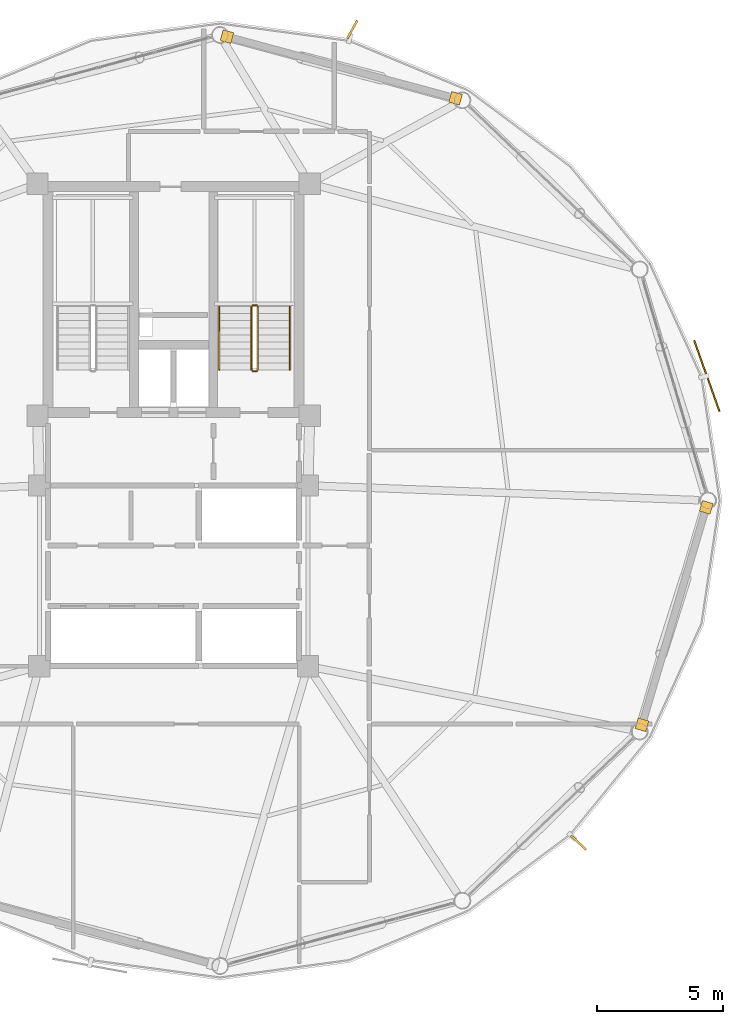
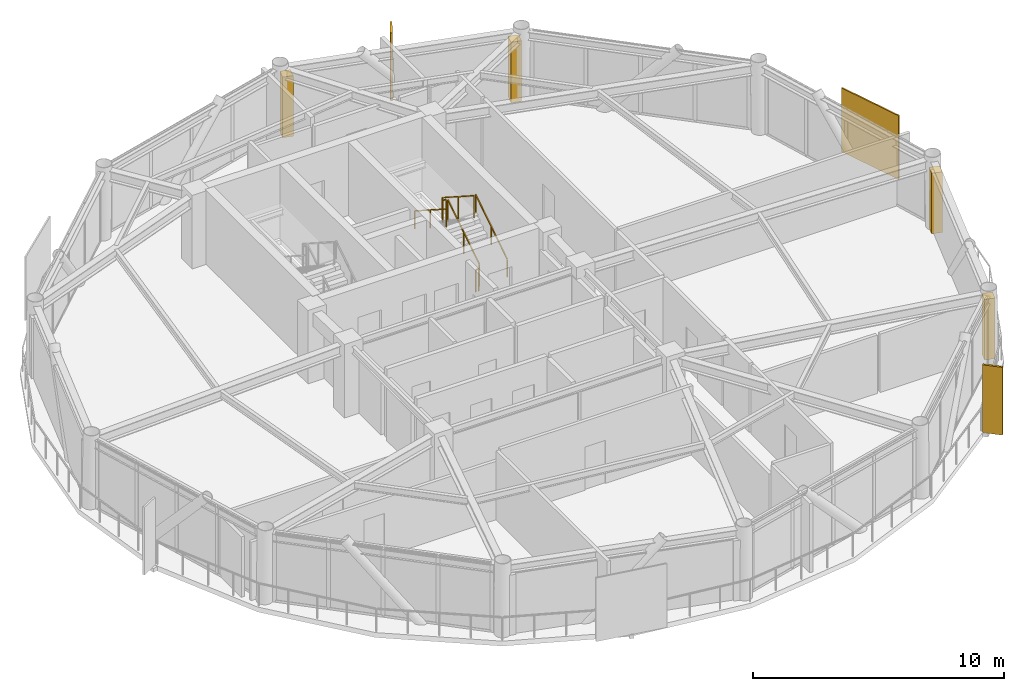
# One storey, part 28 of 28: 6 railings, 4 coverings, 3 shading devices.
"""IFC4 building model written with IfcOpenShell, lengths in metres."""

from ifc_helpers import new_model, si_unit, direction, frame, origin, origin_2d, place, context, subcontext, project, spatial, rectangle, extrude, source, transform, mapped, material, layer, layer_set, type_object, type_shapes, element, save


model = new_model("IFC4")

# Units and contexts
model_context = context("Model", 3, precision=1e-05, world=origin(), true_north=direction((0.0, 1.0)))
body_context = subcontext(model_context, "Body", "Model", "MODEL_VIEW")
ifc_project = project(units=[si_unit("LENGTHUNIT", "METRE"), si_unit("AREAUNIT", "SQUARE_METRE"), si_unit("VOLUMEUNIT", "CUBIC_METRE"), si_unit("PLANEANGLEUNIT", "RADIAN"), si_unit("MASSUNIT", "GRAM", prefix="KILO")], contexts=[model_context])

# Site, building, storey
site_placement = place(None, origin())
site = spatial("IfcSite", under=ifc_project, at=site_placement, CompositionType="ELEMENT")
building_placement = place(site_placement, origin())
building = spatial("IfcBuilding", under=site, at=building_placement, Name="Varnakorn Sky Granary", CompositionType="ELEMENT")
storey_placement = place(building_placement, frame((0.0, 0.0, 196.800048828125)))
storey = spatial("IfcBuildingStorey", under=building, at=storey_placement, Name="L49", CompositionType="ELEMENT", Elevation=196.800048828125)

# Railings
ifc_material_1 = material(Name="Brushed Stainless Steel 316", Category="steel")
railing_type_1 = type_object("IfcRailingType", Name="RL-STAIR-1100", PredefinedType="GUARDRAIL", material=ifc_material_1)
railing_1_placement = place(storey_placement, frame((6.35009765625, 5.199951171875, 0.179931640625)))
element("IfcRailing", 1, at=railing_1_placement, inside=storey, type_object=railing_type_1, Name="L49 ST-2 stair guard 1", PredefinedType="GUARDRAIL", context=body_context, shape_type="SweptSolid", body=[
    extrude(rectangle(XDim=0.048095703125, YDim=0.048095703125, at=origin_2d()), frame((0.0, 0.0, 1.076171875), z_axis=(0.0, 0.841162588446, 0.540782303519), x_axis=(-1.0, 0.0, 0.0)), (0.0, 0.0, 1.0), 2.995849609375),
    extrude(rectangle(XDim=0.0419921875, YDim=0.0419921875, at=origin_2d()), origin(), (0.0, 0.0, 1.0), 1.048095703125),
    extrude(rectangle(XDim=0.0419921875, YDim=0.0419921875, at=origin_2d()), frame((0.0, 1.260009765625, 0.81005859375)), (0.0, 0.0, 1.0), 1.048095703125),
    extrude(rectangle(XDim=0.0419921875, YDim=0.0419921875, at=origin_2d()), frame((0.0, 2.52001953125, 1.6201171875)), (0.0, 0.0, 1.0), 1.048095703125),
])
railing_2_placement = place(storey_placement, frame((6.300048828125, 7.77001953125, 1.800048828125)))
element("IfcRailing", 2, at=railing_2_placement, inside=storey, type_object=railing_type_1, Name="L49 ST-2 stair guard 2", PredefinedType="GUARDRAIL", context=body_context, shape_type="SweptSolid", body=[
    extrude(rectangle(XDim=0.048095703125, YDim=0.048095703125, at=origin_2d()), frame((0.0, 0.0, 1.076171875), z_axis=(-1.0, 0.0, 0.0), x_axis=(0.0, -1.0, 0.0)), (0.0, 0.0, 1.0), 0.150146484375),
    extrude(rectangle(XDim=0.0419921875, YDim=0.0419921875, at=origin_2d()), origin(), (0.0, 0.0, 1.0), 1.048095703125),
    extrude(rectangle(XDim=0.0419921875, YDim=0.0419921875, at=origin_2d()), frame((-0.150146484375, 0.0, 0.0)), (0.0, 0.0, 1.0), 1.048095703125),
])
railing_3_placement = place(storey_placement, frame((6.10009765625, 7.719970703125, 1.97998046875)))
element("IfcRailing", 3, at=railing_3_placement, inside=storey, type_object=railing_type_1, Name="L49 ST-2 stair guard 3", PredefinedType="GUARDRAIL", context=body_context, shape_type="SweptSolid", body=[
    extrude(rectangle(XDim=0.048095703125, YDim=0.048095703125, at=origin_2d()), frame((0.0, 0.0, 1.076171875), z_axis=(0.0, -0.841199657755, 0.540724639528), x_axis=(1.0, 0.0, 0.0)), (0.0, 0.0, 1.0), 2.995849609375),
    extrude(rectangle(XDim=0.0419921875, YDim=0.0419921875, at=origin_2d()), origin(), (0.0, 0.0, 1.0), 1.048095703125),
    extrude(rectangle(XDim=0.0419921875, YDim=0.0419921875, at=origin_2d()), frame((0.0, -1.260009765625, 0.81005859375)), (0.0, 0.0, 1.0), 1.048095703125),
    extrude(rectangle(XDim=0.0419921875, YDim=0.0419921875, at=origin_2d()), frame((0.0, -2.52001953125, 1.619873046875)), (0.0, 0.0, 1.0), 1.048095703125),
])
railing_4_placement = place(storey_placement, frame((6.300048828125, 5.14990234375, 0.0)))
element("IfcRailing", 4, at=railing_4_placement, inside=storey, type_object=railing_type_1, Name="L49 ST-2 stair guard 4", PredefinedType="GUARDRAIL", context=body_context, shape_type="SweptSolid", body=[
    extrude(rectangle(XDim=0.048095703125, YDim=0.048095703125, at=origin_2d()), frame((0.0, 0.0, 1.076171875), z_axis=(-1.0, 0.0, 0.0), x_axis=(0.0, -1.0, 0.0)), (0.0, 0.0, 1.0), 0.150146484375),
    extrude(rectangle(XDim=0.0419921875, YDim=0.0419921875, at=origin_2d()), origin(), (0.0, 0.0, 1.0), 1.048095703125),
    extrude(rectangle(XDim=0.0419921875, YDim=0.0419921875, at=origin_2d()), frame((-0.150146484375, 0.0, 0.0)), (0.0, 0.0, 1.0), 1.048095703125),
])
railing_type_2 = type_object("IfcRailingType", Name="RL-STAIR-920", PredefinedType="HANDRAIL", material=ifc_material_1)
railing_5_placement = place(storey_placement, frame((7.6298828125, 5.199951171875, 0.179931640625)))
element("IfcRailing", 5, at=railing_5_placement, inside=storey, type_object=railing_type_2, Name="L49 ST-2 stair handrail 1", PredefinedType="HANDRAIL", context=body_context, shape_type="SweptSolid", body=[
    extrude(rectangle(XDim=0.048095703125, YDim=0.048095703125, at=origin_2d()), frame((0.0, 0.0, 0.8759765625), z_axis=(0.0, 0.841162588446, 0.540782303519), x_axis=(-1.0, 0.0, 0.0)), (0.0, 0.0, 1.0), 2.995849609375),
    extrude(rectangle(XDim=0.0419921875, YDim=0.0419921875, at=origin_2d()), origin(), (0.0, 0.0, 1.0), 0.847900390625),
    extrude(rectangle(XDim=0.0419921875, YDim=0.0419921875, at=origin_2d()), frame((0.0, 1.260009765625, 0.81005859375)), (0.0, 0.0, 1.0), 0.847900390625),
    extrude(rectangle(XDim=0.0419921875, YDim=0.0419921875, at=origin_2d()), frame((0.0, 2.52001953125, 1.6201171875)), (0.0, 0.0, 1.0), 0.847900390625),
])
railing_6_placement = place(storey_placement, frame((4.820068359375, 7.719970703125, 1.97998046875)))
element("IfcRailing", 6, at=railing_6_placement, inside=storey, type_object=railing_type_2, Name="L49 ST-2 stair handrail 2", PredefinedType="HANDRAIL", context=body_context, shape_type="SweptSolid", body=[
    extrude(rectangle(XDim=0.048095703125, YDim=0.048095703125, at=origin_2d()), frame((0.0, 0.0, 0.8759765625), z_axis=(0.0, -0.841199657755, 0.540724639528), x_axis=(1.0, 0.0, 0.0)), (0.0, 0.0, 1.0), 2.995849609375),
    extrude(rectangle(XDim=0.0419921875, YDim=0.0419921875, at=origin_2d()), origin(), (0.0, 0.0, 1.0), 0.847900390625),
    extrude(rectangle(XDim=0.0419921875, YDim=0.0419921875, at=origin_2d()), frame((0.0, -1.260009765625, 0.81005859375)), (0.0, 0.0, 1.0), 0.847900390625),
    extrude(rectangle(XDim=0.0419921875, YDim=0.0419921875, at=origin_2d()), frame((0.0, -2.52001953125, 1.619873046875)), (0.0, 0.0, 1.0), 0.847900390625),
])

# Shading devices
ifc_material_2 = material(Name="Anodised Bronze Aluminium Alloy 6063-T6", Category="aluminium")
shading_device_type_1 = type_object("IfcShadingDeviceType", Name="SH-SCR-02", PredefinedType="USERDEFINED", material=ifc_material_2)
shared_shape_1 = source(origin(), body_context, "Body", "SweptSolid", [
    extrude(rectangle(XDim=3.0, YDim=0.06494140625, at=origin_2d()), origin(), (0.0, 0.0, 1.0), 3.10009765625),
])
type_shapes(shading_device_type_1, [shared_shape_1])
shading_device_placement = place(storey_placement, frame((24.23583984375, 4.95947265625, -0.0400390625), z_axis=(0.0, 0.0, 1.0), x_axis=(-0.335455295243, 0.942056126191, 0.0)))
element("IfcShadingDevice", 7, at=shading_device_placement, inside=storey, type_object=shading_device_type_1, Name="Perforated Bronze Solar Screen Panel SCREEN L49-01", ObjectType="SCREEN", PredefinedType="USERDEFINED", context=body_context, shape_type="MappedRepresentation", body=[
    mapped(shared_shape_1, transform((0.0, 0.0, 0.0), x_axis=(1.0, 0.0, 0.0), y_axis=(0.0, 1.0, 0.0), z_axis=(0.0, 0.0, 1.0), scale=1.0)),
])
shading_device_type_2 = type_object("IfcShadingDeviceType", Name="SH-FIN-02", PredefinedType="USERDEFINED", material=ifc_material_2)
shared_shape_2 = source(origin(), body_context, "Body", "SweptSolid", [
    extrude(rectangle(XDim=0.0849609375, YDim=0.820068359375, at=origin_2d()), origin(), (0.0, 0.0, 1.0), 3.300048828125),
])
type_shapes(shading_device_type_2, [shared_shape_2])
for number, where, z_axis, x_axis, name in (
    (8, (10.114501953125, 18.7587890625, -0.0400390625), (0.0, 0.0, 1.0), (-0.871726572182, 0.489992636017, 0.0), "Bronze Solar-Tracking Vertical Blade FIN L49-03"),
    (9, (19.13037109375, -13.6298828125, -0.0400390625), (0.0, 0.0, 1.0), (0.680971492806, 0.732309924817, 0.0), "Bronze Solar-Tracking Vertical Blade FIN L49-11"),
):
    element("IfcShadingDevice", number, at=place(storey_placement, frame(where, z_axis=z_axis, x_axis=x_axis)), inside=storey, type_object=shading_device_type_2, Name=name, ObjectType="FIN", PredefinedType="USERDEFINED", context=body_context, shape_type="MappedRepresentation", body=[
        mapped(shared_shape_2, transform((0.0, 0.0, 0.0), x_axis=(1.0, 0.0, 0.0), y_axis=(0.0, 1.0, 0.0), z_axis=(0.0, 0.0, 1.0), scale=1.0)),
    ])

# Coverings
ifc_layer = layer(ifc_material_2, 0.050048828125, Name="Anodised Bronze Aluminium Alloy 6063-T6")
ifc_layer_set = layer_set([ifc_layer], Name="Anodised Bronze Aluminium Alloy 6063-T6")
covering_type = type_object("IfcCoveringType", Name="CV-CLAD-50", PredefinedType="CLADDING", material=ifc_layer_set)
shared_shape_3 = source(origin(), body_context, "Body", "SweptSolid", [
    extrude(rectangle(XDim=0.43994140625, YDim=0.43994140625, at=origin_2d()), origin(), (0.0, 0.0, 1.0), 2.949951171875),
])
type_shapes(covering_type, [shared_shape_3])
for number, where, z_axis, x_axis, name in (
    (10, (5.125244140625, 18.472900390625, -0.02001953125), (0.0, 0.0, 1.0), (0.965563505285, -0.260167479254, 0.0), "Bronze Corner Pilaster Closure L49-P03-A"),
    (11, (14.229248046875, 16.01953125, -0.02001953125), (0.0, 0.0, 1.0), (0.965563505285, -0.260167479254, 0.0), "Bronze Corner Pilaster Closure L49-P03-B"),
    (12, (24.213134765625, -0.273193359375, -0.02001953125), (0.0, 0.0, 1.0), (-0.283513268955, -0.958968313515, 0.0), "Bronze Corner Pilaster Closure L49-P12-A"),
    (13, (21.65283203125, -8.9326171875, -0.02001953125), (0.0, 0.0, 1.0), (-0.283513268955, -0.958968313515, 0.0), "Bronze Corner Pilaster Closure L49-P12-B"),
):
    element("IfcCovering", number, at=place(storey_placement, frame(where, z_axis=z_axis, x_axis=x_axis)), inside=storey, type_object=covering_type, Name=name, PredefinedType="CLADDING", context=body_context, shape_type="MappedRepresentation", body=[
        mapped(shared_shape_3, transform((0.0, 0.0, 0.0), x_axis=(1.0, 0.0, 0.0), y_axis=(0.0, 1.0, 0.0), z_axis=(0.0, 0.0, 1.0), scale=1.0)),
    ])

save(model, "model.ifc")
